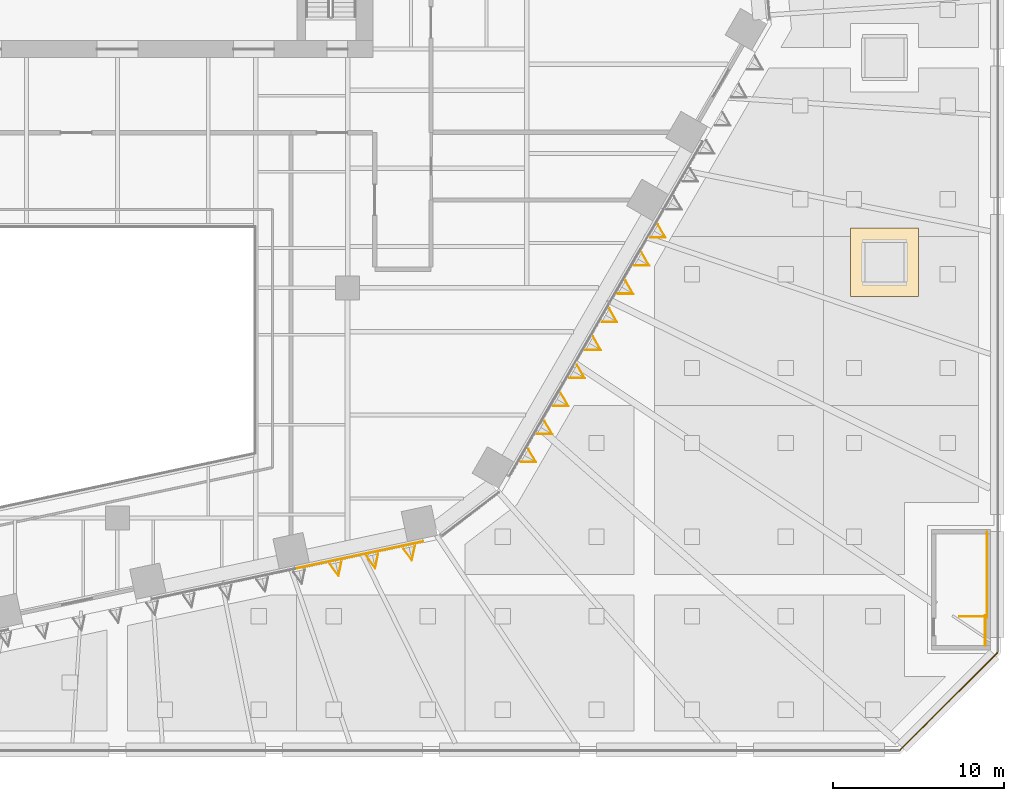
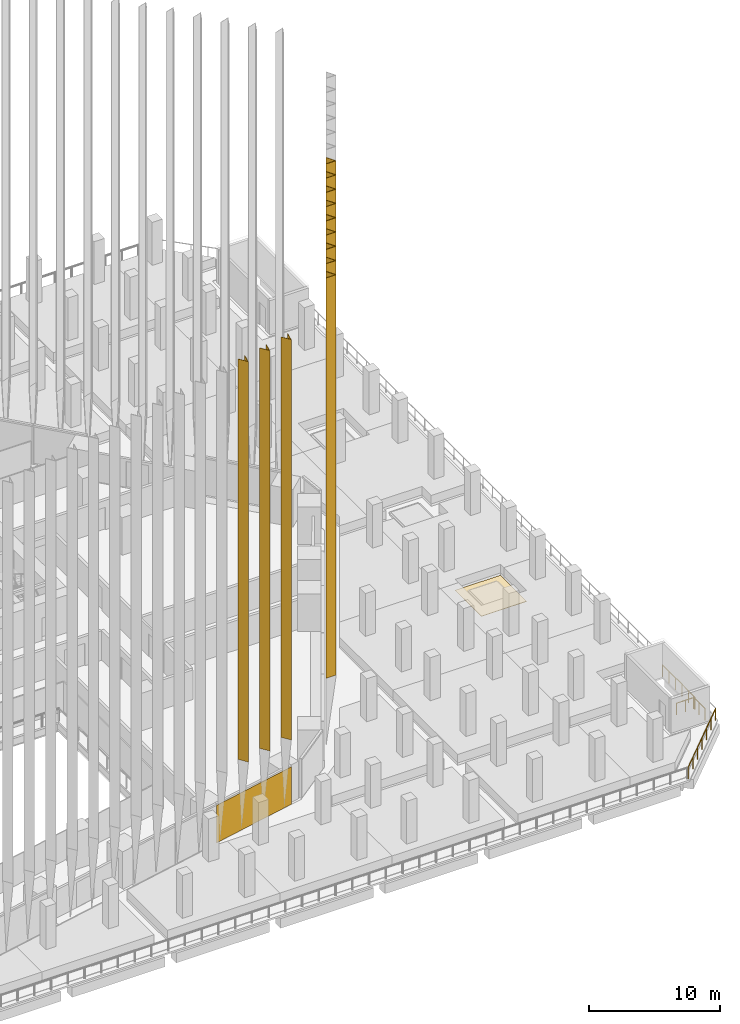
# One storey, part 38 of 51: 14 coverings, 4 railings, 1 element without a shape of its own.
"""IFC4 building model written with IfcOpenShell, lengths in metres."""

from ifc_helpers import new_model, si_unit, direction, frame, origin, origin_2d, place, context, subcontext, project, spatial, polyline, rectangle, circle, outline, extrude, material, layer, layer_set, material_profile, profile_set, type_object, element, aggregate, save


model = new_model("IFC4")

# Units and contexts
model_context = context("Model", 3, precision=1e-05, world=origin(), true_north=direction((0.0, 1.0)))
body_context = subcontext(model_context, "Body", "Model", "MODEL_VIEW")
ifc_project = project(units=[si_unit("LENGTHUNIT", "METRE"), si_unit("AREAUNIT", "SQUARE_METRE"), si_unit("VOLUMEUNIT", "CUBIC_METRE"), si_unit("PLANEANGLEUNIT", "RADIAN"), si_unit("MASSUNIT", "GRAM", prefix="KILO")], contexts=[model_context])

# Site, building, storey
site_placement = place(None, origin())
site = spatial("IfcSite", under=ifc_project, at=site_placement, CompositionType="ELEMENT")
building_placement = place(site_placement, origin())
building = spatial("IfcBuilding", under=site, at=building_placement, Name="Isthmus Gate Tower", CompositionType="ELEMENT")
storey_placement = place(building_placement, frame((0.0, 0.0, 36.0)))
storey = spatial("IfcBuildingStorey", under=building, at=storey_placement, Name="L06", CompositionType="ELEMENT", Elevation=36.0)

# Curtain wall, covering
ifc_material_1 = material(Name="Aluminium, pale champagne anodised", Category="aluminium")
ifc_layer_1 = layer(ifc_material_1, 0.199951171875)
ifc_layer_set_1 = layer_set([ifc_layer_1], Name="CW-1 UNITISED CURTAIN WALL 200 DEEP")
curtain_wall_type = type_object("IfcCurtainWallType", Name="CW-1 UNITISED CURTAIN WALL 200 DEEP", PredefinedType="NOTDEFINED", material=ifc_layer_set_1)
curtain_wall_placement = place(storey_placement, origin())
curtain_wall = element("IfcCurtainWall", 1, at=curtain_wall_placement, inside=storey, type_object=curtain_wall_type, Name="CW-1 S L06", PredefinedType="NOTDEFINED")
ifc_material_2 = material(Name="Aluminium composite panel, pale champagne anodised", Category="aluminium")
ifc_layer_2 = layer(ifc_material_2, 0.0400390625)
ifc_layer_set_2 = layer_set([ifc_layer_2], Name="CW-1 PALE METAL PANEL 40")
covering_type_1 = type_object("IfcCoveringType", Name="CW-1 PALE METAL PANEL 40", PredefinedType="CLADDING", material=ifc_layer_set_2)
covering_1_placement = place(storey_placement, frame((14.177490234375, -29.17041015625, 0.0), z_axis=(0.0, 0.0, 1.0), x_axis=(0.978147600734, 0.207911690818, 0.0)))
covering_1 = element("IfcCovering", 2, at=covering_1_placement, type_object=covering_type_1, Name="CW-1 pale metal panel", PredefinedType="CLADDING", context=body_context, shape_type="SweptSolid", body=[
    extrude(rectangle(XDim=7.689453125, YDim=0.0400390625, at=origin_2d()), origin(), (0.0, 0.0, 1.0), 3.5),
])
aggregate(curtain_wall, [covering_1])

# Coverings
ifc_material_3 = material(Name="Structural steel ASTM A572 Gr 50, white paint system", Category="steel")
ifc_material_profile_1 = material_profile(ifc_material_3, outline(polyline([(0.0, -0.356201171875), (0.800048828125, 0.0), (0.0, 0.356201171875), (0.0, 0.3232421875), (0.726318359375, 0.0), (0.0, -0.3232421875), (0.0, -0.356201171875)])), Name="V800")
ifc_profile_set_1 = profile_set([ifc_material_profile_1], Name="Structural steel ASTM A572 Gr 50, white paint system")
covering_type_2 = type_object("IfcCoveringType", Name="FIN V 800 DEEP", PredefinedType="CLADDING", material=ifc_profile_set_1)
for number, where, z_axis, x_axis, name in (
    (3, (12.81005859375, -29.635009765625, 6.89990234375), (0.0, 0.0, 1.0), (0.207911690818, -0.978147600734, 0.0), "FIN"),
    (4, (14.962158203125, -29.177490234375, 6.89990234375), (0.0, 0.0, 1.0), (0.207911690818, -0.978147600734, 0.0), "FIN"),
    (5, (17.114013671875, -28.72021484375, 6.89990234375), (0.0, 0.0, 1.0), (0.207911690818, -0.978147600734, 0.0), "FIN"),
):
    element("IfcCovering", number, at=place(storey_placement, frame(where, z_axis=z_axis, x_axis=x_axis)), inside=storey, type_object=covering_type_2, Name=name, ObjectType="FIN", PredefinedType="CLADDING", context=body_context, shape_type="SweptSolid", body=[
        extrude(outline(polyline([(0.0, -0.356201171875), (0.800048828125, 0.0), (0.0, 0.356201171875), (0.0, 0.3232421875), (0.726318359375, 0.0), (0.0, -0.3232421875), (0.0, -0.356201171875)])), origin(), (0.0, 0.0, 1.0), 37.35009765625),
    ])
ifc_material_4 = material(Name="Structural steel ASTM A572 Gr 50, white paint system", Category="steel")
ifc_material_profile_2 = material_profile(ifc_material_4, outline(polyline([(0.0, -0.4619140625), (0.800048828125, 0.0), (0.0, 0.4619140625), (0.0, 0.42724609375), (0.739990234375, 0.0), (0.0, -0.42724609375), (0.0, -0.4619140625)])), Name="V800W")
ifc_profile_set_2 = profile_set([ifc_material_profile_2], Name="Structural steel ASTM A572 Gr 50, white paint system")
covering_type_3 = type_object("IfcCoveringType", Name="FIN V 800 DEEP WIDE", PredefinedType="CLADDING", material=ifc_profile_set_2)
for number, where, z_axis, x_axis, name in (
    (6, (23.884521484375, -23.330810546875, 6.89990234375), (0.0, 0.0, 1.0), (0.866025403784, -0.5, 0.0), "FIN"),
    (7, (24.83447265625, -21.685302734375, 6.89990234375), (0.0, 0.0, 1.0), (0.866025403784, -0.5, 0.0), "FIN"),
    (8, (25.784423828125, -20.039794921875, 6.89990234375), (0.0, 0.0, 1.0), (0.866025403784, -0.5, 0.0), "FIN"),
    (9, (26.734619140625, -18.39453125, 6.89990234375), (0.0, 0.0, 1.0), (0.866025403784, -0.5, 0.0), "FIN"),
    (10, (27.6845703125, -16.7490234375, 6.89990234375), (0.0, 0.0, 1.0), (0.866025403784, -0.5, 0.0), "FIN"),
    (11, (28.634521484375, -15.103515625, 6.89990234375), (0.0, 0.0, 1.0), (0.866025403784, -0.5, 0.0), "FIN"),
    (12, (29.58447265625, -13.4580078125, 6.89990234375), (0.0, 0.0, 1.0), (0.866025403784, -0.5, 0.0), "FIN"),
    (13, (30.534423828125, -11.812744140625, 6.89990234375), (0.0, 0.0, 1.0), (0.866025403784, -0.5, 0.0), "FIN"),
    (14, (31.484619140625, -10.167236328125, 6.89990234375), (0.0, 0.0, 1.0), (0.866025403784, -0.5, 0.0), "FIN"),
):
    element("IfcCovering", number, at=place(storey_placement, frame(where, z_axis=z_axis, x_axis=x_axis)), inside=storey, type_object=covering_type_3, Name=name, ObjectType="FIN", PredefinedType="CLADDING", context=body_context, shape_type="SweptSolid", body=[
        extrude(outline(polyline([(0.0, -0.4619140625), (0.800048828125, 0.0), (0.0, 0.4619140625), (0.0, 0.42724609375), (0.739990234375, 0.0), (0.0, -0.42724609375), (0.0, -0.4619140625)])), origin(), (0.0, 0.0, 1.0), 37.35009765625),
    ])

# Railings
ifc_material_5 = material(Name="Stainless steel posts and toughened laminated glass", Category="steel")
railing_type_1 = type_object("IfcRailingType", Name="GUARD 1100 TERRACE GLASS", PredefinedType="GUARDRAIL", material=ifc_material_5)
railing_1_placement = place(storey_placement, frame((51.607666015625, -34.8974609375, 0.0)))
element("IfcRailing", 15, at=railing_1_placement, inside=storey, type_object=railing_type_1, Name="TERRACE GUARD", PredefinedType="GUARDRAIL", context=body_context, shape_type="SweptSolid", body=[
    extrude(circle(Radius=0.02490234375, at=origin_2d()), frame((0.0, 0.0, 1.0751953125), z_axis=(-0.707106781187, -0.707106781187, 0.0), x_axis=(0.707106781187, -0.707106781187, 0.0)), (0.0, 0.0, 1.0), 8.075439453125),
    extrude(circle(Radius=0.02490234375, at=origin_2d()), origin(), (0.0, 0.0, 1.0), 1.050048828125),
    extrude(circle(Radius=0.02490234375, at=origin_2d()), frame((-0.95166015625, -0.95166015625, 0.0)), (0.0, 0.0, 1.0), 1.050048828125),
    extrude(circle(Radius=0.02490234375, at=origin_2d()), frame((-1.9033203125, -1.9033203125, 0.0)), (0.0, 0.0, 1.0), 1.050048828125),
    extrude(circle(Radius=0.02490234375, at=origin_2d()), frame((-2.85498046875, -2.85498046875, 0.0)), (0.0, 0.0, 1.0), 1.050048828125),
    extrude(circle(Radius=0.02490234375, at=origin_2d()), frame((-3.806884765625, -3.806884765625, 0.0)), (0.0, 0.0, 1.0), 1.050048828125),
    extrude(circle(Radius=0.02490234375, at=origin_2d()), frame((-4.758544921875, -4.758544921875, 0.0)), (0.0, 0.0, 1.0), 1.050048828125),
    extrude(circle(Radius=0.02490234375, at=origin_2d()), frame((-5.710205078125, -5.710205078125, 0.0)), (0.0, 0.0, 1.0), 1.050048828125),
])
ifc_material_6 = material(Name="Painted steel balusters with timber handrail", Category="steel")
railing_type_2 = type_object("IfcRailingType", Name="Podium stair guard 1100", PredefinedType="GUARDRAIL", material=ifc_material_6)
railing_2_placement = place(storey_placement, frame((50.949951171875, -32.77490234375, 0.0)))
element("IfcRailing", 16, at=railing_2_placement, inside=storey, type_object=railing_type_2, Name="L06 ST4 top well guard 1", PredefinedType="GUARDRAIL", context=body_context, shape_type="SweptSolid", body=[
    extrude(circle(Radius=0.02392578125, at=origin_2d()), frame((0.0, 0.0, 1.076171875), z_axis=(-1.0, 0.0, 0.0), x_axis=(0.0, -1.0, 0.0)), (0.0, 0.0, 1.0), 1.550048828125),
    extrude(circle(Radius=0.02099609375, at=origin_2d()), origin(), (0.0, 0.0, 1.0), 1.052001953125),
    extrude(circle(Radius=0.02099609375, at=origin_2d()), frame((-0.77490234375, 0.0, 0.0)), (0.0, 0.0, 1.0), 1.052001953125),
    extrude(circle(Radius=0.02099609375, at=origin_2d()), frame((-1.550048828125, 0.0, 0.0)), (0.0, 0.0, 1.0), 1.052001953125),
])
railing_3_placement = place(storey_placement, frame((51.0, -32.824951171875, 0.0)))
element("IfcRailing", 17, at=railing_3_placement, inside=storey, type_object=railing_type_2, Name="L06 ST4 top well guard 2", PredefinedType="GUARDRAIL", context=body_context, shape_type="SweptSolid", body=[
    extrude(circle(Radius=0.02392578125, at=origin_2d()), frame((0.0, 0.0, 1.076171875), z_axis=(0.0, 1.0, 0.0), x_axis=(-1.0, 0.0, 0.0)), (0.0, 0.0, 1.0), 4.995849609375),
    extrude(circle(Radius=0.02099609375, at=origin_2d()), origin(), (0.0, 0.0, 1.0), 1.052001953125),
    extrude(circle(Radius=0.02099609375, at=origin_2d()), frame((0.0, 0.999267578125, 0.0)), (0.0, 0.0, 1.0), 1.052001953125),
    extrude(circle(Radius=0.02099609375, at=origin_2d()), frame((0.0, 1.998291015625, 0.0)), (0.0, 0.0, 1.0), 1.052001953125),
    extrude(circle(Radius=0.02099609375, at=origin_2d()), frame((0.0, 2.99755859375, 0.0)), (0.0, 0.0, 1.0), 1.052001953125),
    extrude(circle(Radius=0.02099609375, at=origin_2d()), frame((0.0, 3.99658203125, 0.0)), (0.0, 0.0, 1.0), 1.052001953125),
    extrude(circle(Radius=0.02099609375, at=origin_2d()), frame((0.0, 4.995849609375, 0.0)), (0.0, 0.0, 1.0), 1.052001953125),
])
railing_4_placement = place(storey_placement, frame((50.89990234375, -34.47509765625, 0.0)))
element("IfcRailing", 18, at=railing_4_placement, inside=storey, type_object=railing_type_2, Name="L06 ST4 top well guard 3", PredefinedType="GUARDRAIL", context=body_context, shape_type="SweptSolid", body=[
    extrude(circle(Radius=0.02392578125, at=origin_2d()), frame((0.0, 0.0, 1.076171875), z_axis=(0.0, 1.0, 0.0), x_axis=(-1.0, 0.0, 0.0)), (0.0, 0.0, 1.0), 1.75),
    extrude(circle(Radius=0.02099609375, at=origin_2d()), origin(), (0.0, 0.0, 1.0), 1.052001953125),
    extrude(circle(Radius=0.02099609375, at=origin_2d()), frame((0.0, 0.875, 0.0)), (0.0, 0.0, 1.0), 1.052001953125),
    extrude(circle(Radius=0.02099609375, at=origin_2d()), frame((0.0, 1.75, 0.0)), (0.0, 0.0, 1.0), 1.052001953125),
])

# Covering
ifc_material_7 = material(Name="Granite paving slabs on pedestals", Category="masonry")
ifc_layer_3 = layer(ifc_material_7, 0.0400390625)
ifc_layer_set_3 = layer_set([ifc_layer_3], Name="TERRACE PAVING 40")
covering_type_4 = type_object("IfcCoveringType", Name="TERRACE PAVING 40", PredefinedType="FLOORING", material=ifc_layer_set_3)
covering_2_placement = place(storey_placement, origin())
element("IfcCovering", 19, at=covering_2_placement, inside=storey, type_object=covering_type_4, Name="TERRACE PAVING", PredefinedType="FLOORING", context=body_context, shape_type="SweptSolid", body=[
    extrude(outline(polyline([(47.0, -10.5), (47.0, -14.0), (43.0, -14.0), (43.0, -10.5), (43.0, -10.0), (47.0, -10.0), (47.0, -10.5)])), origin(), (0.0, 0.0, 1.0), 0.0400390625),
])

save(model, "model.ifc")
